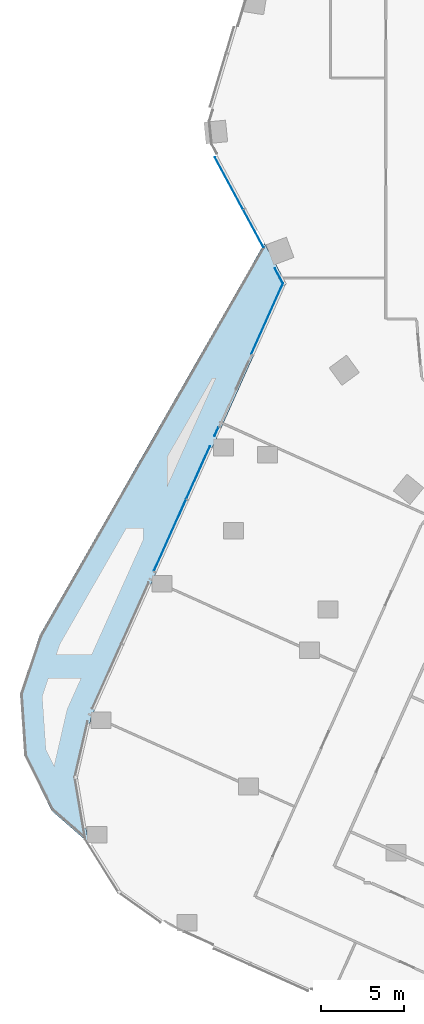
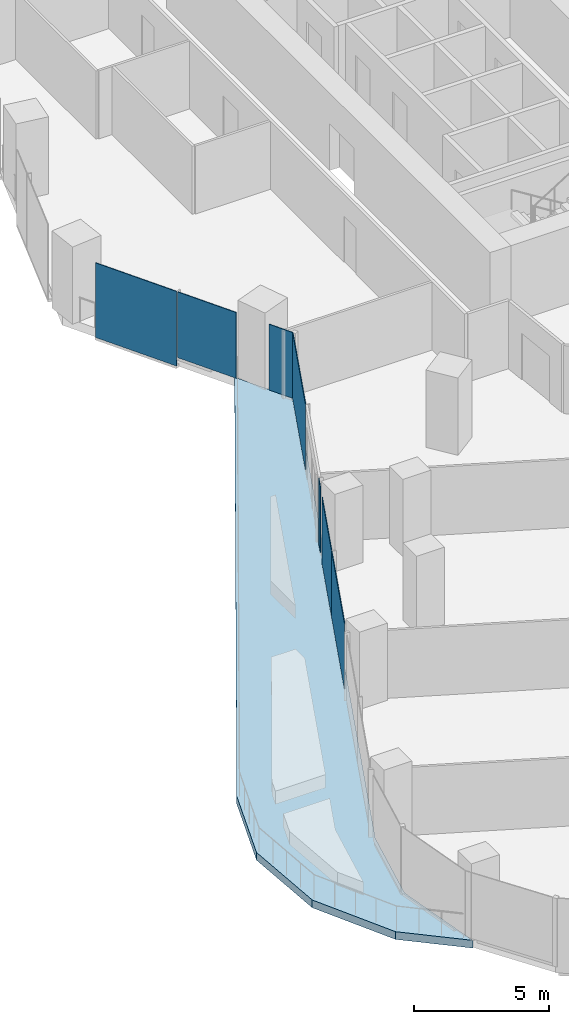
# One storey, part 17 of 32: 7 plates, 1 slab, 2 elements without a shape of their own.
"""IFC4 building model written with IfcOpenShell, lengths in metres."""

from ifc_helpers import new_model, si_unit, direction, frame, origin, origin_2d, place, context, subcontext, project, spatial, polyline, rectangle, outline, extrude, material, layer, layer_set, type_object, element, aggregate, save


model = new_model("IFC4")

# Units and contexts
model_context = context("Model", 3, precision=1e-05, world=origin(), true_north=direction((0.0, 1.0)))
body_context = subcontext(model_context, "Body", "Model", "MODEL_VIEW")
ifc_project = project(units=[si_unit("LENGTHUNIT", "METRE"), si_unit("AREAUNIT", "SQUARE_METRE"), si_unit("VOLUMEUNIT", "CUBIC_METRE"), si_unit("PLANEANGLEUNIT", "RADIAN"), si_unit("MASSUNIT", "GRAM", prefix="KILO")], contexts=[model_context])

# Site, building, storey
site_placement = place(None, origin())
site = spatial("IfcSite", under=ifc_project, at=site_placement, CompositionType="ELEMENT")
building_placement = place(site_placement, origin())
building = spatial("IfcBuilding", under=site, at=building_placement, Name="Orlundy Tower", CompositionType="ELEMENT")
storey_placement = place(building_placement, frame((0.0, 0.0, 123.699951171875)))
storey = spatial("IfcBuildingStorey", under=building, at=storey_placement, Name="L31", CompositionType="ELEMENT", Elevation=123.699951171875)

# Curtain wall, plates
ifc_material_1 = material(Name="Aluminium bronze anodised", Category="aluminium")
curtain_wall_type = type_object("IfcCurtainWallType", Name="CW1 wall", PredefinedType="NOTDEFINED", material=ifc_material_1)
curtain_wall_1_placement = place(storey_placement, origin())
curtain_wall_1 = element("IfcCurtainWall", 1, at=curtain_wall_1_placement, inside=storey, type_object=curtain_wall_type, Name="CW1 run 00", PredefinedType="NOTDEFINED")
ifc_material_2 = material(Name="Tinted glass", Category="glass")
ifc_layer_1 = layer(ifc_material_2, 0.031982421875)
ifc_layer_set_1 = layer_set([ifc_layer_1], Name="CW1 glass panel 32")
plate_type = type_object("IfcPlateType", Name="CW1 glass panel 32", PredefinedType="CURTAIN_PANEL", material=ifc_layer_set_1)
plate_1_placement = place(storey_placement, frame((-34.408447265625, -27.4287109375, 0.1201171875), z_axis=(0.0, 0.0, 1.0), x_axis=(0.409404071174, 0.912353169834, 0.0)))
plate_1 = element("IfcPlate", 2, at=plate_1_placement, type_object=plate_type, Name="CW1 panel", PredefinedType="CURTAIN_PANEL", context=body_context, shape_type="SweptSolid", body=[
    extrude(rectangle(XDim=4.705322265625, YDim=0.031982421875, at=origin_2d()), origin(), (0.0, 0.0, 1.0), 2.97998046875),
])
plate_2_placement = place(storey_placement, frame((-32.717529296875, -23.659912109375, 0.1201171875), z_axis=(0.0, 0.0, 1.0), x_axis=(0.409404071174, 0.912353169834, 0.0)))
plate_2 = element("IfcPlate", 3, at=plate_2_placement, type_object=plate_type, Name="CW1 panel", PredefinedType="CURTAIN_PANEL", context=body_context, shape_type="SweptSolid", body=[
    extrude(rectangle(XDim=3.4560546875, YDim=0.031982421875, at=origin_2d()), origin(), (0.0, 0.0, 1.0), 2.97998046875),
])
plate_3_placement = place(storey_placement, frame((-31.61572265625, -21.204833984375, 0.1201171875), z_axis=(0.0, 0.0, 1.0), x_axis=(0.409404071174, 0.912353169834, 0.0)))
plate_3 = element("IfcPlate", 4, at=plate_3_placement, type_object=plate_type, Name="CW1 panel", PredefinedType="CURTAIN_PANEL", context=body_context, shape_type="SweptSolid", body=[
    extrude(rectangle(XDim=0.572509765625, YDim=0.031982421875, at=origin_2d()), origin(), (0.0, 0.0, 1.0), 2.97998046875),
])
plate_4_placement = place(storey_placement, frame((-28.57958984375, -14.438720703125, 0.1201171875), z_axis=(0.0, 0.0, 1.0), x_axis=(0.409404071174, 0.912353169834, 0.0)))
plate_4 = element("IfcPlate", 5, at=plate_4_placement, type_object=plate_type, Name="CW1 panel", PredefinedType="CURTAIN_PANEL", context=body_context, shape_type="SweptSolid", body=[
    extrude(rectangle(XDim=4.6494140625, YDim=0.031982421875, at=origin_2d()), origin(), (0.0, 0.0, 1.0), 2.97998046875),
])
aggregate(curtain_wall_1, [plate_1, plate_2, plate_3, plate_4])

curtain_wall_2_placement = place(storey_placement, origin())
curtain_wall_2 = element("IfcCurtainWall", 6, at=curtain_wall_2_placement, inside=storey, type_object=curtain_wall_type, Name="CW1 run 01", PredefinedType="NOTDEFINED")
plate_5_placement = place(storey_placement, frame((-27.873779296875, -11.861328125, 0.1201171875), z_axis=(0.0, 0.0, 1.0), x_axis=(-0.4746239814, 0.880188659482, 0.0)))
plate_5 = element("IfcPlate", 7, at=plate_5_placement, type_object=plate_type, Name="CW1 panel", PredefinedType="CURTAIN_PANEL", context=body_context, shape_type="SweptSolid", body=[
    extrude(rectangle(XDim=1.03662109375, YDim=0.031982421875, at=origin_2d()), origin(), (0.0, 0.0, 1.0), 2.97998046875),
])
plate_6_placement = place(storey_placement, frame((-29.40283203125, -9.02587890625, 0.1201171875), z_axis=(0.0, 0.0, 1.0), x_axis=(-0.4746239814, 0.880188659482, 0.0)))
plate_6 = element("IfcPlate", 8, at=plate_6_placement, type_object=plate_type, Name="CW1 panel", PredefinedType="CURTAIN_PANEL", context=body_context, shape_type="SweptSolid", body=[
    extrude(rectangle(XDim=2.54638671875, YDim=0.031982421875, at=origin_2d()), origin(), (0.0, 0.0, 1.0), 2.97998046875),
])
plate_7_placement = place(storey_placement, frame((-30.86962890625, -6.305419921875, -0.27978515625), z_axis=(0.0, 0.0, 1.0), x_axis=(-0.4746239814, 0.880188659482, 0.0)))
plate_7 = element("IfcPlate", 9, at=plate_7_placement, type_object=plate_type, Name="CW1 panel", PredefinedType="CURTAIN_PANEL", context=body_context, shape_type="SweptSolid", body=[
    extrude(rectangle(XDim=3.535400390625, YDim=0.031982421875, at=origin_2d()), origin(), (0.0, 0.0, 1.0), 3.3798828125),
])
aggregate(curtain_wall_2, [plate_5, plate_6, plate_7])

# Slab
ifc_material_3 = material(Name="Concrete C45/55", Category="concrete")
ifc_layer_2 = layer(ifc_material_3, 0.35009765625)
ifc_layer_set_2 = layer_set([ifc_layer_2], Name="TERRACE SLAB 350 C45/55")
slab_type = type_object("IfcSlabType", Name="TERRACE SLAB 350 C45/55", PredefinedType="ROOF", material=ifc_layer_set_2)
slab_placement = place(storey_placement, frame((0.0, 0.0, -0.349853515625)))
element("IfcSlab", 10, at=slab_placement, inside=storey, type_object=slab_type, Name="Terrace slab L31-3", PredefinedType="ROOF", context=body_context, shape_type="SweptSolid", body=[
    extrude(outline(polyline([(-41.501953125, -43.955078125), (-43.152099609375, -40.635986328125), (-43.405029296875, -36.93798828125), (-42.222900390625, -33.424072265625), (-28.739013671875, -9.910888671875), (-27.445068359375, -12.31103515625), (-39.1259765625, -38.342041015625), (-39.955078125, -41.955078125), (-39.29296875, -45.882080078125), (-41.501953125, -43.955078125)])), origin(), (0.0, 0.0, 1.0), 0.349853515625),
])

save(model, "model.ifc")
